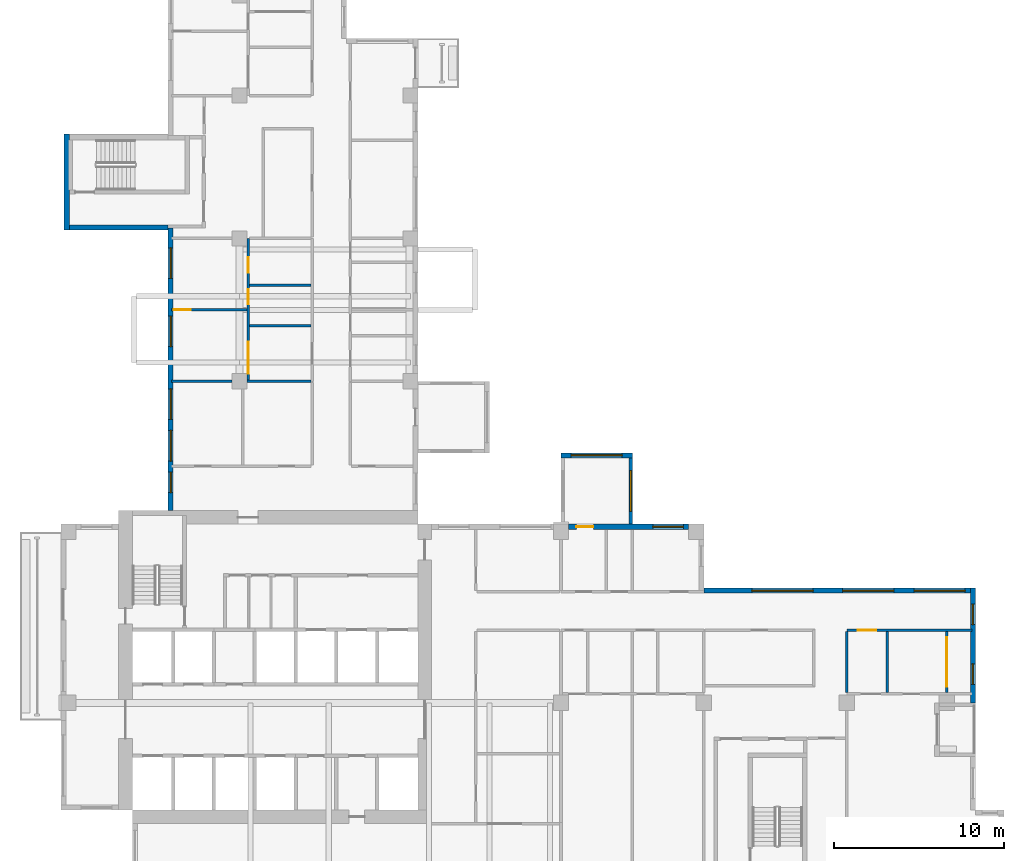
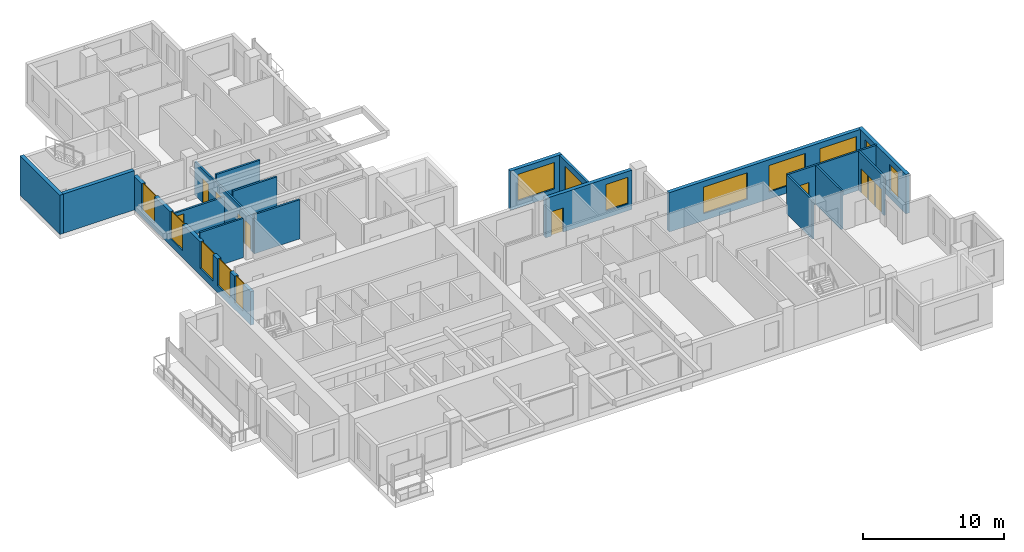
# One storey, part 6 of 12: 18 walls, 13 windows, 10 doors, 23 openings.
"""IFC4 building model written with IfcOpenShell, lengths in metres."""

from ifc_helpers import new_model, si_unit, direction, frame, frame_2d, origin, place, context, subcontext, project, spatial, rectangle, extrude, source, transform, mapped, material, layer, layer_set, type_object, element, fill, save


model = new_model("IFC4")

# Units and contexts
model_context = context("Model", 3, precision=1e-05, world=origin(), true_north=direction((0.0, 1.0)))
body_context = subcontext(model_context, "Body", "Model", "MODEL_VIEW")
ifc_project = project(units=[si_unit("LENGTHUNIT", "METRE"), si_unit("AREAUNIT", "SQUARE_METRE"), si_unit("VOLUMEUNIT", "CUBIC_METRE"), si_unit("PLANEANGLEUNIT", "RADIAN"), si_unit("MASSUNIT", "GRAM", prefix="KILO")], contexts=[model_context])

# Site, building, storey
site_placement = place(None, origin())
site = spatial("IfcSite", under=ifc_project, at=site_placement, CompositionType="ELEMENT")
building_placement = place(site_placement, origin())
building = spatial("IfcBuilding", under=site, at=building_placement, Name="Aurelian Terraces", CompositionType="ELEMENT")
storey_placement = place(building_placement, frame((0.0, 0.0, 215.8)))
storey = spatial("IfcBuildingStorey", under=building, at=storey_placement, Name="L48", CompositionType="ELEMENT", Elevation=215.8)

# Wall, openings, windows
ifc_material_1 = material(Name="Terracotta rainscreen cladding", Category="masonry")
ifc_layer_1 = layer(ifc_material_1, 0.3)
ifc_layer_set_1 = layer_set([ifc_layer_1], Name="EW-300")
wall_type_1 = type_object("IfcWallType", Name="EW-300", PredefinedType="STANDARD", material=ifc_layer_set_1)
wall_1_placement = place(storey_placement, frame((53.76, 17.1, 0.0), z_axis=(0.0, 0.0, 1.0), x_axis=(-1.0, 0.0, 0.0)))
wall_1 = element("IfcWall", 1, at=wall_1_placement, inside=storey, type_object=wall_type_1, Name="External wall L48 F05.14", PredefinedType="STANDARD", context=body_context, shape_type="SweptSolid", body=[
    extrude(rectangle(XDim=15.96, YDim=0.3, at=frame_2d((7.98, 0.0))), origin(), (0.0, 0.0, 1.0), 3.4),
])
shared_shape_1 = source(origin(), body_context, "Body", "SweptSolid", [
    extrude(rectangle(XDim=3.0, YDim=2.3, at=frame_2d((1.5, 1.15))), frame((0.0, 0.16, 0.0), z_axis=(0.0, -1.0, 0.0), x_axis=(1.0, 0.0, 0.0)), (0.0, 0.0, 1.0), 0.32),
])
opening_1_placement = place(wall_1_placement, frame((0.6, 0.0, 0.6)))
opening_1 = element("IfcOpeningElement", 2, at=opening_1_placement, cuts=wall_1, Name="Opening W3023", PredefinedType="OPENING", context=body_context, shape_type="MappedRepresentation", body=[
    mapped(shared_shape_1, transform((0.0, 0.0, 0.0), scale=1.0)),
])
opening_2_placement = place(wall_1_placement, frame((4.8, 0.0, 0.6)))
opening_2 = element("IfcOpeningElement", 3, at=opening_2_placement, cuts=wall_1, Name="Opening W3023", PredefinedType="OPENING", context=body_context, shape_type="MappedRepresentation", body=[
    mapped(shared_shape_1, transform((0.0, 0.0, 0.0), scale=1.0)),
])
shared_shape_2 = source(origin(), body_context, "Body", "SweptSolid", [
    extrude(rectangle(XDim=3.6, YDim=2.3, at=frame_2d((1.8, 1.15))), frame((0.0, 0.16, 0.0), z_axis=(0.0, -1.0, 0.0), x_axis=(1.0, 0.0, 0.0)), (0.0, 0.0, 1.0), 0.32),
])
opening_3_placement = place(wall_1_placement, frame((9.54, 0.0, 0.6)))
opening_3 = element("IfcOpeningElement", 4, at=opening_3_placement, cuts=wall_1, Name="Opening W3623", PredefinedType="OPENING", context=body_context, shape_type="MappedRepresentation", body=[
    mapped(shared_shape_2, transform((0.0, 0.0, 0.0), scale=1.0)),
])
ifc_material_2 = material(Name="Clear glazing", Category="glass")
window_type_1 = type_object("IfcWindowType", Name="W-3600x2300", PartitioningType="SINGLE_PANEL", PredefinedType="WINDOW", material=ifc_material_2)
shared_shape_3 = source(origin(), body_context, "Body", "SweptSolid", [
    extrude(rectangle(XDim=3.6, YDim=2.3, at=frame_2d((1.8, 1.15))), frame((0.0, 0.03, 0.0), z_axis=(0.0, -1.0, 0.0), x_axis=(1.0, 0.0, 0.0)), (0.0, 0.0, 1.0), 0.06),
])
window_1_placement = place(opening_3_placement, origin())
window_1 = element("IfcWindow", 5, at=window_1_placement, inside=storey, type_object=window_type_1, Name="Window L48 L48-F05-14-2", OverallHeight=2.3, OverallWidth=3.6, PartitioningType="SINGLE_PANEL", PredefinedType="WINDOW", context=body_context, shape_type="MappedRepresentation", body=[
    mapped(shared_shape_3, transform((0.0, 0.0, 0.0), scale=1.0)),
])
fill(opening_3, window_1)
window_type_2 = type_object("IfcWindowType", Name="W-3000x2300", PartitioningType="SINGLE_PANEL", PredefinedType="WINDOW", material=ifc_material_2)
shared_shape_4 = source(origin(), body_context, "Body", "SweptSolid", [
    extrude(rectangle(XDim=3.0, YDim=2.3, at=frame_2d((1.5, 1.15))), frame((0.0, 0.03, 0.0), z_axis=(0.0, -1.0, 0.0), x_axis=(1.0, 0.0, 0.0)), (0.0, 0.0, 1.0), 0.06),
])
window_2_placement = place(opening_1_placement, origin())
window_2 = element("IfcWindow", 6, at=window_2_placement, inside=storey, type_object=window_type_2, Name="Window L48 L48-F05-14-0", OverallHeight=2.3, OverallWidth=3.0, PartitioningType="SINGLE_PANEL", PredefinedType="WINDOW", context=body_context, shape_type="MappedRepresentation", body=[
    mapped(shared_shape_4, transform((0.0, 0.0, 0.0), scale=1.0)),
])
fill(opening_1, window_2)
window_3_placement = place(opening_2_placement, origin())
window_3 = element("IfcWindow", 7, at=window_3_placement, inside=storey, type_object=window_type_2, Name="Window L48 L48-F05-14-1", OverallHeight=2.3, OverallWidth=3.0, PartitioningType="SINGLE_PANEL", PredefinedType="WINDOW", context=body_context, shape_type="MappedRepresentation", body=[
    mapped(shared_shape_4, transform((0.0, 0.0, 0.0), scale=1.0)),
])
fill(opening_2, window_3)

# Wall
ifc_material_3 = material(Name="Concrete fc' 40 MPa", Category="concrete")
ifc_layer_2 = layer(ifc_material_3, 0.3)
ifc_layer_set_2 = layer_set([ifc_layer_2], Name="STAIR BAY WALL 300")
wall_type_2 = type_object("IfcWallType", Name="STAIR BAY WALL 300", PredefinedType="SOLIDWALL", material=ifc_layer_set_2)
shared_shape_5 = source(origin(), body_context, "Body", "SweptSolid", [
    extrude(rectangle(XDim=6.1, YDim=0.3, at=frame_2d((3.05, 0.0))), origin(), (0.0, 0.0, 1.0), 3.4),
])
wall_2_placement = place(storey_placement, frame((0.2, 38.45, 0.0), z_axis=(0.0, 0.0, 1.0), x_axis=(1.0, 0.0, 0.0)))
element("IfcWall", 8, at=wall_2_placement, inside=storey, type_object=wall_type_2, Name="Stair bay wall L48 F15.30", PredefinedType="SOLIDWALL", context=body_context, shape_type="MappedRepresentation", body=[
    mapped(shared_shape_5, transform((0.0, 0.0, 0.0), scale=1.0)),
])

# Wall, opening, window
ifc_layer_3 = layer(ifc_material_3, 0.2)
ifc_layer_set_3 = layer_set([ifc_layer_3], Name="BOX BEARING WALL 200")
wall_type_3 = type_object("IfcWallType", Name="BOX BEARING WALL 200", PredefinedType="SOLIDWALL", material=ifc_layer_set_3)
shared_shape_6 = source(origin(), body_context, "Body", "SweptSolid", [
    extrude(rectangle(XDim=3.9, YDim=0.2, at=frame_2d((1.95, 0.0))), origin(), (0.0, 0.0, 1.0), 3.39),
])
wall_3_placement = place(storey_placement, frame((33.5, 21.0, 0.0), z_axis=(0.0, 0.0, 1.0), x_axis=(0.0, 1.0, 0.0)))
wall_3 = element("IfcWall", 9, at=wall_3_placement, inside=storey, type_object=wall_type_3, Name="Box return L48 J69.1", PredefinedType="SOLIDWALL", context=body_context, shape_type="MappedRepresentation", body=[
    mapped(shared_shape_6, transform((0.0, 0.0, 0.0), scale=1.0)),
])
shared_shape_7 = source(origin(), body_context, "Body", "SweptSolid", [
    extrude(rectangle(XDim=2.4, YDim=2.3, at=frame_2d((1.2, 1.15))), frame((0.0, 0.11, 0.0), z_axis=(0.0, -1.0, 0.0), x_axis=(1.0, 0.0, 0.0)), (0.0, 0.0, 1.0), 0.22),
])
opening_4_placement = place(wall_3_placement, frame((0.75, 0.0, 0.6)))
opening_4 = element("IfcOpeningElement", 10, at=opening_4_placement, cuts=wall_3, Name="Opening W2423", PredefinedType="OPENING", context=body_context, shape_type="MappedRepresentation", body=[
    mapped(shared_shape_7, transform((0.0, 0.0, 0.0), scale=1.0)),
])
window_type_3 = type_object("IfcWindowType", Name="W-2400x2300", PartitioningType="SINGLE_PANEL", PredefinedType="WINDOW", material=ifc_material_2)
shared_shape_8 = source(origin(), body_context, "Body", "SweptSolid", [
    extrude(rectangle(XDim=2.4, YDim=2.3, at=frame_2d((1.2, 1.15))), frame((0.0, 0.03, 0.0), z_axis=(0.0, -1.0, 0.0), x_axis=(1.0, 0.0, 0.0)), (0.0, 0.0, 1.0), 0.06),
])
window_4_placement = place(opening_4_placement, origin())
window_4 = element("IfcWindow", 11, at=window_4_placement, inside=storey, type_object=window_type_3, Name="Window L48 J69-S1", OverallHeight=2.3, OverallWidth=2.4, PartitioningType="SINGLE_PANEL", PredefinedType="WINDOW", context=body_context, shape_type="MappedRepresentation", body=[
    mapped(shared_shape_8, transform((0.0, 0.0, 0.0), scale=1.0)),
])
fill(opening_4, window_4)

ifc_layer_4 = layer(ifc_material_3, 0.3)
ifc_layer_set_4 = layer_set([ifc_layer_4], Name="BOX BEARING WALL 300")
wall_type_4 = type_object("IfcWallType", Name="BOX BEARING WALL 300", PredefinedType="SOLIDWALL", material=ifc_layer_set_4)
shared_shape_9 = source(origin(), body_context, "Body", "SweptSolid", [
    extrude(rectangle(XDim=4.2, YDim=0.3, at=frame_2d((2.1, 0.0))), origin(), (0.0, 0.0, 1.0), 3.39),
])
wall_4_placement = place(storey_placement, frame((33.6, 25.05, 0.0), z_axis=(0.0, 0.0, 1.0), x_axis=(-1.0, 0.0, 0.0)))
wall_4 = element("IfcWall", 12, at=wall_4_placement, inside=storey, type_object=wall_type_4, Name="Box wall L48 J69", PredefinedType="SOLIDWALL", context=body_context, shape_type="MappedRepresentation", body=[
    mapped(shared_shape_9, transform((0.0, 0.0, 0.0), scale=1.0)),
])
opening_5_placement = place(wall_4_placement, frame((0.6, 0.0, 0.6)))
opening_5 = element("IfcOpeningElement", 13, at=opening_5_placement, cuts=wall_4, Name="Opening W3023", PredefinedType="OPENING", context=body_context, shape_type="MappedRepresentation", body=[
    mapped(shared_shape_1, transform((0.0, 0.0, 0.0), scale=1.0)),
])
window_5_placement = place(opening_5_placement, origin())
window_5 = element("IfcWindow", 14, at=window_5_placement, inside=storey, type_object=window_type_2, Name="Window L48 J69-F1", OverallHeight=2.3, OverallWidth=3.0, PartitioningType="SINGLE_PANEL", PredefinedType="WINDOW", context=body_context, shape_type="MappedRepresentation", body=[
    mapped(shared_shape_4, transform((0.0, 0.0, 0.0), scale=1.0)),
])
fill(opening_5, window_5)

# Wall, openings, window, door
shared_shape_10 = source(origin(), body_context, "Body", "SweptSolid", [
    extrude(rectangle(XDim=7.05, YDim=0.3, at=frame_2d((3.525, 0.0))), origin(), (0.0, 0.0, 1.0), 3.4),
])
wall_5_placement = place(storey_placement, frame((36.9, 20.85, 0.0), z_axis=(0.0, 0.0, 1.0), x_axis=(-1.0, 0.0, 0.0)))
wall_5 = element("IfcWall", 15, at=wall_5_placement, inside=storey, type_object=wall_type_1, Name="External wall L48 F07.16", PredefinedType="STANDARD", context=body_context, shape_type="MappedRepresentation", body=[
    mapped(shared_shape_10, transform((0.0, 0.0, 0.0), scale=1.0)),
])
shared_shape_11 = source(origin(), body_context, "Body", "SweptSolid", [
    extrude(rectangle(XDim=1.8, YDim=2.3, at=frame_2d((0.9, 1.15))), frame((0.0, 0.16, 0.0), z_axis=(0.0, -1.0, 0.0), x_axis=(1.0, 0.0, 0.0)), (0.0, 0.0, 1.0), 0.32),
])
opening_6_placement = place(wall_5_placement, frame((0.3, 0.0, 0.6)))
opening_6 = element("IfcOpeningElement", 16, at=opening_6_placement, cuts=wall_5, Name="Opening W1823", PredefinedType="OPENING", context=body_context, shape_type="MappedRepresentation", body=[
    mapped(shared_shape_11, transform((0.0, 0.0, 0.0), scale=1.0)),
])
shared_shape_12 = source(origin(), body_context, "Body", "SweptSolid", [
    extrude(rectangle(XDim=1.0, YDim=2.1, at=frame_2d((0.5, 1.05))), frame((0.0, 0.16, 0.0), z_axis=(0.0, -1.0, 0.0), x_axis=(1.0, 0.0, 0.0)), (0.0, 0.0, 1.0), 0.32),
])
opening_7_placement = place(wall_5_placement, frame((5.6, 0.0, 0.0)))
opening_7 = element("IfcOpeningElement", 17, at=opening_7_placement, cuts=wall_5, Name="Opening 848003", PredefinedType="OPENING", context=body_context, shape_type="MappedRepresentation", body=[
    mapped(shared_shape_12, transform((0.0, 0.0, 0.0), scale=1.0)),
])
window_type_4 = type_object("IfcWindowType", Name="W-1800x2300", PartitioningType="SINGLE_PANEL", PredefinedType="WINDOW", material=ifc_material_2)
shared_shape_13 = source(origin(), body_context, "Body", "SweptSolid", [
    extrude(rectangle(XDim=1.8, YDim=2.3, at=frame_2d((0.9, 1.15))), frame((0.0, 0.03, 0.0), z_axis=(0.0, -1.0, 0.0), x_axis=(1.0, 0.0, 0.0)), (0.0, 0.0, 1.0), 0.06),
])
window_6_placement = place(opening_6_placement, origin())
window_6 = element("IfcWindow", 18, at=window_6_placement, inside=storey, type_object=window_type_4, Name="Window L48 L48-F07-16-0", OverallHeight=2.3, OverallWidth=1.8, PartitioningType="SINGLE_PANEL", PredefinedType="WINDOW", context=body_context, shape_type="MappedRepresentation", body=[
    mapped(shared_shape_13, transform((0.0, 0.0, 0.0), scale=1.0)),
])
fill(opening_6, window_6)
ifc_material_4 = material(Name="Timber door leaf", Category="wood")
door_type_1 = type_object("IfcDoorType", Name="Room door 1000x2100 left", OperationType="SINGLE_SWING_LEFT", PredefinedType="DOOR", material=ifc_material_4)
shared_shape_14 = source(origin(), body_context, "Body", "SweptSolid", [
    extrude(rectangle(XDim=1.0, YDim=2.1, at=frame_2d((0.5, 1.05))), frame((0.0, 0.025, 0.0), z_axis=(0.0, -1.0, 0.0), x_axis=(1.0, 0.0, 0.0)), (0.0, 0.0, 1.0), 0.05),
])
door_1_placement = place(opening_7_placement, origin())
door_1 = element("IfcDoor", 19, at=door_1_placement, inside=storey, type_object=door_type_1, Name="Door 848003", OperationType="SINGLE_SWING_LEFT", OverallHeight=2.1, OverallWidth=1.0, PredefinedType="DOOR", context=body_context, shape_type="MappedRepresentation", body=[
    mapped(shared_shape_14, transform((0.0, 0.0, 0.0), scale=1.0)),
])
fill(opening_7, door_1)

# Wall
shared_shape_15 = source(origin(), body_context, "Body", "SweptSolid", [
    extrude(rectangle(XDim=5.65, YDim=0.3, at=frame_2d((2.825, 0.0))), origin(), (0.0, 0.0, 1.0), 3.4),
])
wall_6_placement = place(storey_placement, frame((0.35, 43.95, 0.0), z_axis=(0.0, 0.0, 1.0), x_axis=(0.0, -1.0, 0.0)))
element("IfcWall", 20, at=wall_6_placement, inside=storey, type_object=wall_type_2, Name="Stair bay wall L48 F14.29", PredefinedType="SOLIDWALL", context=body_context, shape_type="MappedRepresentation", body=[
    mapped(shared_shape_15, transform((0.0, 0.0, 0.0), scale=1.0)),
])

# Wall, openings, windows
shared_shape_16 = source(origin(), body_context, "Body", "SweptSolid", [
    extrude(rectangle(XDim=6.75, YDim=0.3, at=frame_2d((3.375, 0.0))), origin(), (0.0, 0.0, 1.0), 3.4),
])
wall_7_placement = place(storey_placement, frame((53.61, 10.5, 0.0), z_axis=(0.0, 0.0, 1.0), x_axis=(0.0, 1.0, 0.0)))
wall_7 = element("IfcWall", 21, at=wall_7_placement, inside=storey, type_object=wall_type_1, Name="External wall L48 F04.13", PredefinedType="STANDARD", context=body_context, shape_type="MappedRepresentation", body=[
    mapped(shared_shape_16, transform((0.0, 0.0, 0.0), scale=1.0)),
])
shared_shape_17 = source(origin(), body_context, "Body", "SweptSolid", [
    extrude(rectangle(XDim=1.2, YDim=2.3, at=frame_2d((0.6, 1.15))), frame((0.0, 0.16, 0.0), z_axis=(0.0, -1.0, 0.0), x_axis=(1.0, 0.0, 0.0)), (0.0, 0.0, 1.0), 0.32),
])
opening_8_placement = place(wall_7_placement, frame((1.0875, 0.0, 0.6)))
opening_8 = element("IfcOpeningElement", 22, at=opening_8_placement, cuts=wall_7, Name="Opening W1223", PredefinedType="OPENING", context=body_context, shape_type="MappedRepresentation", body=[
    mapped(shared_shape_17, transform((0.0, 0.0, 0.0), scale=1.0)),
])
opening_9_placement = place(wall_7_placement, frame((4.6063, 0.0, 0.6)))
opening_9 = element("IfcOpeningElement", 23, at=opening_9_placement, cuts=wall_7, Name="Opening W1223", PredefinedType="OPENING", context=body_context, shape_type="MappedRepresentation", body=[
    mapped(shared_shape_17, transform((0.0, 0.0, 0.0), scale=1.0)),
])
window_type_5 = type_object("IfcWindowType", Name="W-1200x2300", PartitioningType="SINGLE_PANEL", PredefinedType="WINDOW", material=ifc_material_2)
shared_shape_18 = source(origin(), body_context, "Body", "SweptSolid", [
    extrude(rectangle(XDim=1.2, YDim=2.3, at=frame_2d((0.6, 1.15))), frame((0.0, 0.03, 0.0), z_axis=(0.0, -1.0, 0.0), x_axis=(1.0, 0.0, 0.0)), (0.0, 0.0, 1.0), 0.06),
])
window_7_placement = place(opening_8_placement, origin())
window_7 = element("IfcWindow", 24, at=window_7_placement, inside=storey, type_object=window_type_5, Name="Window L48 L48-F04-13-0", OverallHeight=2.3, OverallWidth=1.2, PartitioningType="SINGLE_PANEL", PredefinedType="WINDOW", context=body_context, shape_type="MappedRepresentation", body=[
    mapped(shared_shape_18, transform((0.0, 0.0, 0.0), scale=1.0)),
])
fill(opening_8, window_7)
window_8_placement = place(opening_9_placement, origin())
window_8 = element("IfcWindow", 25, at=window_8_placement, inside=storey, type_object=window_type_5, Name="Window L48 L48-F04-13-1", OverallHeight=2.3, OverallWidth=1.2, PartitioningType="SINGLE_PANEL", PredefinedType="WINDOW", context=body_context, shape_type="MappedRepresentation", body=[
    mapped(shared_shape_18, transform((0.0, 0.0, 0.0), scale=1.0)),
])
fill(opening_9, window_8)

shared_shape_19 = source(origin(), body_context, "Body", "SweptSolid", [
    extrude(rectangle(XDim=16.6, YDim=0.3, at=frame_2d((8.3, 0.0))), origin(), (0.0, 0.0, 1.0), 2.9),
])
wall_8_placement = place(storey_placement, frame((6.45, 38.4, 0.0), z_axis=(0.0, 0.0, 1.0), x_axis=(0.0, -1.0, 0.0)))
wall_8 = element("IfcWall", 26, at=wall_8_placement, inside=storey, type_object=wall_type_1, Name="External wall L48 F16.31", PredefinedType="STANDARD", context=body_context, shape_type="MappedRepresentation", body=[
    mapped(shared_shape_19, transform((0.0, 0.0, 0.0), scale=1.0)),
])
opening_10_placement = place(wall_8_placement, frame((1.15, 0.0, 0.6)))
opening_10 = element("IfcOpeningElement", 27, at=opening_10_placement, cuts=wall_8, Name="Opening W1823", PredefinedType="OPENING", context=body_context, shape_type="MappedRepresentation", body=[
    mapped(shared_shape_11, transform((0.0, 0.0, 0.0), scale=1.0)),
])
opening_11_placement = place(wall_8_placement, frame((5.1625, 0.0, 0.6)))
opening_11 = element("IfcOpeningElement", 28, at=opening_11_placement, cuts=wall_8, Name="Opening W1823", PredefinedType="OPENING", context=body_context, shape_type="MappedRepresentation", body=[
    mapped(shared_shape_11, transform((0.0, 0.0, 0.0), scale=1.0)),
])
opening_12_placement = place(wall_8_placement, frame((9.4375, 0.0, 0.6)))
opening_12 = element("IfcOpeningElement", 29, at=opening_12_placement, cuts=wall_8, Name="Opening W1823", PredefinedType="OPENING", context=body_context, shape_type="MappedRepresentation", body=[
    mapped(shared_shape_11, transform((0.0, 0.0, 0.0), scale=1.0)),
])
opening_13_placement = place(wall_8_placement, frame((14.3375, 0.0, 0.6)))
opening_13 = element("IfcOpeningElement", 30, at=opening_13_placement, cuts=wall_8, Name="Opening W1223", PredefinedType="OPENING", context=body_context, shape_type="MappedRepresentation", body=[
    mapped(shared_shape_17, transform((0.0, 0.0, 0.0), scale=1.0)),
])
opening_14_placement = place(wall_8_placement, frame((11.8875, 0.0, 0.6)))
opening_14 = element("IfcOpeningElement", 31, at=opening_14_placement, cuts=wall_8, Name="Opening W1823", PredefinedType="OPENING", context=body_context, shape_type="MappedRepresentation", body=[
    mapped(shared_shape_11, transform((0.0, 0.0, 0.0), scale=1.0)),
])
window_9_placement = place(opening_13_placement, origin())
window_9 = element("IfcWindow", 32, at=window_9_placement, inside=storey, type_object=window_type_5, Name="Window L48 L48-F16-31-3", OverallHeight=2.3, OverallWidth=1.2, PartitioningType="SINGLE_PANEL", PredefinedType="WINDOW", context=body_context, shape_type="MappedRepresentation", body=[
    mapped(shared_shape_18, transform((0.0, 0.0, 0.0), scale=1.0)),
])
fill(opening_13, window_9)
window_10_placement = place(opening_10_placement, origin())
window_10 = element("IfcWindow", 33, at=window_10_placement, inside=storey, type_object=window_type_4, Name="Window L48 L48-F16-31-0", OverallHeight=2.3, OverallWidth=1.8, PartitioningType="SINGLE_PANEL", PredefinedType="WINDOW", context=body_context, shape_type="MappedRepresentation", body=[
    mapped(shared_shape_13, transform((0.0, 0.0, 0.0), scale=1.0)),
])
fill(opening_10, window_10)
window_11_placement = place(opening_11_placement, origin())
window_11 = element("IfcWindow", 34, at=window_11_placement, inside=storey, type_object=window_type_4, Name="Window L48 L48-F16-31-1", OverallHeight=2.3, OverallWidth=1.8, PartitioningType="SINGLE_PANEL", PredefinedType="WINDOW", context=body_context, shape_type="MappedRepresentation", body=[
    mapped(shared_shape_13, transform((0.0, 0.0, 0.0), scale=1.0)),
])
fill(opening_11, window_11)
window_12_placement = place(opening_12_placement, origin())
window_12 = element("IfcWindow", 35, at=window_12_placement, inside=storey, type_object=window_type_4, Name="Window L48 L48-F16-31-2", OverallHeight=2.3, OverallWidth=1.8, PartitioningType="SINGLE_PANEL", PredefinedType="WINDOW", context=body_context, shape_type="MappedRepresentation", body=[
    mapped(shared_shape_13, transform((0.0, 0.0, 0.0), scale=1.0)),
])
fill(opening_12, window_12)
window_13_placement = place(opening_14_placement, origin())
window_13 = element("IfcWindow", 36, at=window_13_placement, inside=storey, type_object=window_type_4, Name="Window L48 L48-F16-31-G0-111", OverallHeight=2.3, OverallWidth=1.8, PartitioningType="SINGLE_PANEL", PredefinedType="WINDOW", context=body_context, shape_type="MappedRepresentation", body=[
    mapped(shared_shape_13, transform((0.0, 0.0, 0.0), scale=1.0)),
])
fill(opening_14, window_13)

# Wall
ifc_material_5 = material(Name="Gypsum board on steel studs", Category="steel")
ifc_layer_5 = layer(ifc_material_5, 0.15)
ifc_layer_set_5 = layer_set([ifc_layer_5], Name="Partition 150")
wall_type_5 = type_object("IfcWallType", Name="Partition 150", PredefinedType="PARTITIONING", material=ifc_layer_set_5)
shared_shape_20 = source(origin(), body_context, "Body", "SweptSolid", [
    extrude(rectangle(XDim=3.6, YDim=0.15, at=frame_2d((1.8, 0.0))), origin(), (0.0, 0.0, 1.0), 3.4),
])
wall_9_placement = place(storey_placement, frame((48.5744, 11.1, 0.0), z_axis=(0.0, 0.0, 1.0), x_axis=(0.0, 1.0, 0.0)))
element("IfcWall", 37, at=wall_9_placement, inside=storey, type_object=wall_type_5, Name="Partition", PredefinedType="PARTITIONING", context=body_context, shape_type="MappedRepresentation", body=[
    mapped(shared_shape_20, transform((0.0, 0.0, 0.0), scale=1.0)),
])

# Wall, openings, doors
wall_10_placement = place(storey_placement, frame((52.08, 11.1, 0.0), z_axis=(0.0, 0.0, 1.0), x_axis=(0.0, 1.0, 0.0)))
wall_10 = element("IfcWall", 38, at=wall_10_placement, inside=storey, type_object=wall_type_5, Name="Partition", PredefinedType="PARTITIONING", context=body_context, shape_type="MappedRepresentation", body=[
    mapped(shared_shape_20, transform((0.0, 0.0, 0.0), scale=1.0)),
])
shared_shape_21 = source(origin(), body_context, "Body", "SweptSolid", [
    extrude(rectangle(XDim=0.9, YDim=2.1, at=frame_2d((0.45, 1.05))), frame((0.0, 0.085, 0.0), z_axis=(0.0, -1.0, 0.0), x_axis=(1.0, 0.0, 0.0)), (0.0, 0.0, 1.0), 0.17),
])
opening_15_placement = place(wall_10_placement, frame((1.35, 0.0, 0.0)))
opening_15 = element("IfcOpeningElement", 39, at=opening_15_placement, cuts=wall_10, Name="Opening 748042", PredefinedType="OPENING", context=body_context, shape_type="MappedRepresentation", body=[
    mapped(shared_shape_21, transform((0.0, 0.0, 0.0), scale=1.0)),
])
opening_16_placement = place(wall_10_placement, frame((2.35, 0.0, 0.0)))
opening_16 = element("IfcOpeningElement", 40, at=opening_16_placement, cuts=wall_10, Name="Opening 748044", PredefinedType="OPENING", context=body_context, shape_type="MappedRepresentation", body=[
    mapped(shared_shape_21, transform((0.0, 0.0, 0.0), scale=1.0)),
])
opening_17_placement = place(wall_10_placement, frame((0.35, 0.0, 0.0)))
opening_17 = element("IfcOpeningElement", 41, at=opening_17_placement, cuts=wall_10, Name="Opening 748046", PredefinedType="OPENING", context=body_context, shape_type="MappedRepresentation", body=[
    mapped(shared_shape_21, transform((0.0, 0.0, 0.0), scale=1.0)),
])
door_type_2 = type_object("IfcDoorType", Name="Room door 900x2100 left", OperationType="SINGLE_SWING_LEFT", PredefinedType="DOOR", material=ifc_material_4)
shared_shape_22 = source(origin(), body_context, "Body", "SweptSolid", [
    extrude(rectangle(XDim=0.9, YDim=2.1, at=frame_2d((0.45, 1.05))), frame((0.0, 0.025, 0.0), z_axis=(0.0, -1.0, 0.0), x_axis=(1.0, 0.0, 0.0)), (0.0, 0.0, 1.0), 0.05),
])
door_2_placement = place(opening_15_placement, origin())
door_2 = element("IfcDoor", 42, at=door_2_placement, inside=storey, type_object=door_type_2, Name="Door 748042", OperationType="SINGLE_SWING_LEFT", OverallHeight=2.1, OverallWidth=0.9, PredefinedType="DOOR", context=body_context, shape_type="MappedRepresentation", body=[
    mapped(shared_shape_22, transform((0.0, 0.0, 0.0), scale=1.0)),
])
fill(opening_15, door_2)
ifc_material_6 = material(Name="Steel door leaf", Category="steel")
door_type_3 = type_object("IfcDoorType", Name="Entrance fire door 900x2100 left", OperationType="SINGLE_SWING_LEFT", PredefinedType="DOOR", material=ifc_material_6)
door_3_placement = place(opening_16_placement, origin())
door_3 = element("IfcDoor", 43, at=door_3_placement, inside=storey, type_object=door_type_3, Name="Door 748044", OperationType="SINGLE_SWING_LEFT", OverallHeight=2.1, OverallWidth=0.9, PredefinedType="DOOR", context=body_context, shape_type="MappedRepresentation", body=[
    mapped(shared_shape_22, transform((0.0, 0.0, 0.0), scale=1.0)),
])
fill(opening_16, door_3)
door_4_placement = place(opening_17_placement, origin())
door_4 = element("IfcDoor", 44, at=door_4_placement, inside=storey, type_object=door_type_3, Name="Door 748046", OperationType="SINGLE_SWING_LEFT", OverallHeight=2.1, OverallWidth=0.9, PredefinedType="DOOR", context=body_context, shape_type="MappedRepresentation", body=[
    mapped(shared_shape_22, transform((0.0, 0.0, 0.0), scale=1.0)),
])
fill(opening_17, door_4)

# Walls
ifc_layer_6 = layer(ifc_material_5, 0.15)
ifc_layer_set_6 = layer_set([ifc_layer_6], Name="Fire partition 150")
wall_type_6 = type_object("IfcWallType", Name="Fire partition 150", PredefinedType="PARTITIONING", material=ifc_layer_set_6)
wall_11_placement = place(storey_placement, frame((46.2, 11.1, 0.0), z_axis=(0.0, 0.0, 1.0), x_axis=(0.0, 1.0, 0.0)))
element("IfcWall", 45, at=wall_11_placement, inside=storey, type_object=wall_type_6, Name="Party wall", PredefinedType="PARTITIONING", context=body_context, shape_type="MappedRepresentation", body=[
    mapped(shared_shape_20, transform((0.0, 0.0, 0.0), scale=1.0)),
])
for number, where, z_axis, x_axis, name in (
    (46, (14.7, 32.6603, 0.0), (0.0, 0.0, 1.0), (-1.0, 0.0, 0.0), "Partition"),
    (47, (14.7, 35.0493, 0.0), (0.0, 0.0, 1.0), (-1.0, 0.0, 0.0), "Partition"),
):
    element("IfcWall", number, at=place(storey_placement, frame(where, z_axis=z_axis, x_axis=x_axis)), inside=storey, type_object=wall_type_5, Name=name, PredefinedType="PARTITIONING", context=body_context, shape_type="MappedRepresentation", body=[
        mapped(shared_shape_20, transform((0.0, 0.0, 0.0), scale=1.0)),
    ])
shared_shape_23 = source(origin(), body_context, "Body", "SweptSolid", [
    extrude(rectangle(XDim=3.546, YDim=0.15, at=frame_2d((1.773, 0.0))), origin(), (0.0, 0.0, 1.0), 3.4),
])
wall_12_placement = place(storey_placement, frame((10.051, 29.4, 0.0), z_axis=(0.0, 0.0, 1.0), x_axis=(-1.0, 0.0, 0.0)))
element("IfcWall", 48, at=wall_12_placement, inside=storey, type_object=wall_type_5, Name="Partition", PredefinedType="PARTITIONING", context=body_context, shape_type="MappedRepresentation", body=[
    mapped(shared_shape_23, transform((0.0, 0.0, 0.0), scale=1.0)),
])

# Wall, openings, doors
shared_shape_24 = source(origin(), body_context, "Body", "SweptSolid", [
    extrude(rectangle(XDim=8.4, YDim=0.15, at=frame_2d((4.2, 0.0))), origin(), (0.0, 0.0, 1.0), 2.9),
])
wall_13_placement = place(storey_placement, frame((11.025, 29.4, 0.0), z_axis=(0.0, 0.0, 1.0), x_axis=(0.0, 1.0, 0.0)))
wall_13 = element("IfcWall", 49, at=wall_13_placement, inside=storey, type_object=wall_type_5, Name="Partition", PredefinedType="PARTITIONING", context=body_context, shape_type="MappedRepresentation", body=[
    mapped(shared_shape_24, transform((0.0, 0.0, 0.0), scale=1.0)),
])
opening_18_placement = place(wall_13_placement, frame((1.418, 0.0, 0.0)))
opening_18 = element("IfcOpeningElement", 50, at=opening_18_placement, cuts=wall_13, Name="Opening 748025", PredefinedType="OPENING", context=body_context, shape_type="MappedRepresentation", body=[
    mapped(shared_shape_21, transform((0.0, 0.0, 0.0), scale=1.0)),
])
opening_19_placement = place(wall_13_placement, frame((0.46, 0.0, 0.0)))
opening_19 = element("IfcOpeningElement", 51, at=opening_19_placement, cuts=wall_13, Name="Opening 748026", PredefinedType="OPENING", context=body_context, shape_type="MappedRepresentation", body=[
    mapped(shared_shape_21, transform((0.0, 0.0, 0.0), scale=1.0)),
])
opening_20_placement = place(wall_13_placement, frame((4.5247, 0.0, 0.0)))
opening_20 = element("IfcOpeningElement", 52, at=opening_20_placement, cuts=wall_13, Name="Opening 748028", PredefinedType="OPENING", context=body_context, shape_type="MappedRepresentation", body=[
    mapped(shared_shape_21, transform((0.0, 0.0, 0.0), scale=1.0)),
])
opening_21_placement = place(wall_13_placement, frame((6.3872, 0.0, 0.0)))
opening_21 = element("IfcOpeningElement", 53, at=opening_21_placement, cuts=wall_13, Name="Opening 748029", PredefinedType="OPENING", context=body_context, shape_type="MappedRepresentation", body=[
    mapped(shared_shape_21, transform((0.0, 0.0, 0.0), scale=1.0)),
])
door_5_placement = place(opening_18_placement, origin())
door_5 = element("IfcDoor", 54, at=door_5_placement, inside=storey, type_object=door_type_2, Name="Door 748025", OperationType="SINGLE_SWING_LEFT", OverallHeight=2.1, OverallWidth=0.9, PredefinedType="DOOR", context=body_context, shape_type="MappedRepresentation", body=[
    mapped(shared_shape_22, transform((0.0, 0.0, 0.0), scale=1.0)),
])
fill(opening_18, door_5)
door_type_4 = type_object("IfcDoorType", Name="Room door 900x2100 right", OperationType="SINGLE_SWING_RIGHT", PredefinedType="DOOR", material=ifc_material_4)
door_6_placement = place(opening_19_placement, origin())
door_6 = element("IfcDoor", 55, at=door_6_placement, inside=storey, type_object=door_type_4, Name="Door 748026", OperationType="SINGLE_SWING_RIGHT", OverallHeight=2.1, OverallWidth=0.9, PredefinedType="DOOR", context=body_context, shape_type="MappedRepresentation", body=[
    mapped(shared_shape_22, transform((0.0, 0.0, 0.0), scale=1.0)),
])
fill(opening_19, door_6)
door_7_placement = place(opening_20_placement, origin())
door_7 = element("IfcDoor", 56, at=door_7_placement, inside=storey, type_object=door_type_4, Name="Door 748028", OperationType="SINGLE_SWING_RIGHT", OverallHeight=2.1, OverallWidth=0.9, PredefinedType="DOOR", context=body_context, shape_type="MappedRepresentation", body=[
    mapped(shared_shape_22, transform((0.0, 0.0, 0.0), scale=1.0)),
])
fill(opening_20, door_7)
door_8_placement = place(opening_21_placement, origin())
door_8 = element("IfcDoor", 57, at=door_8_placement, inside=storey, type_object=door_type_2, Name="Door 748029", OperationType="SINGLE_SWING_LEFT", OverallHeight=2.1, OverallWidth=0.9, PredefinedType="DOOR", context=body_context, shape_type="MappedRepresentation", body=[
    mapped(shared_shape_22, transform((0.0, 0.0, 0.0), scale=1.0)),
])
fill(opening_21, door_8)

# Wall
shared_shape_25 = source(origin(), body_context, "Body", "SweptSolid", [
    extrude(rectangle(XDim=3.751, YDim=0.15, at=frame_2d((1.8755, 0.0))), origin(), (0.0, 0.0, 1.0), 3.4),
])
wall_14_placement = place(storey_placement, frame((14.7, 29.4, 0.0), z_axis=(0.0, 0.0, 1.0), x_axis=(-1.0, 0.0, 0.0)))
element("IfcWall", 58, at=wall_14_placement, inside=storey, type_object=wall_type_5, Name="Partition", PredefinedType="PARTITIONING", context=body_context, shape_type="MappedRepresentation", body=[
    mapped(shared_shape_25, transform((0.0, 0.0, 0.0), scale=1.0)),
])

# Wall, opening, door
shared_shape_26 = source(origin(), body_context, "Body", "SweptSolid", [
    extrude(rectangle(XDim=7.355, YDim=0.15, at=frame_2d((3.6775, 0.0))), origin(), (0.0, 0.0, 1.0), 3.4),
])
wall_15_placement = place(storey_placement, frame((53.555, 14.775, 0.0), z_axis=(0.0, 0.0, 1.0), x_axis=(-1.0, 0.0, 0.0)))
wall_15 = element("IfcWall", 59, at=wall_15_placement, inside=storey, type_object=wall_type_6, Name="Corridor wall", PredefinedType="PARTITIONING", context=body_context, shape_type="MappedRepresentation", body=[
    mapped(shared_shape_26, transform((0.0, 0.0, 0.0), scale=1.0)),
])
shared_shape_27 = source(origin(), body_context, "Body", "SweptSolid", [
    extrude(rectangle(XDim=1.1, YDim=2.1, at=frame_2d((0.55, 1.05))), frame((0.0, 0.085, 0.0), z_axis=(0.0, -1.0, 0.0), x_axis=(1.0, 0.0, 0.0)), (0.0, 0.0, 1.0), 0.17),
])
opening_22_placement = place(wall_15_placement, frame((5.6178, 0.0, 0.0)))
opening_22 = element("IfcOpeningElement", 60, at=opening_22_placement, cuts=wall_15, Name="Opening 748013", PredefinedType="OPENING", context=body_context, shape_type="MappedRepresentation", body=[
    mapped(shared_shape_27, transform((0.0, 0.0, 0.0), scale=1.0)),
])
door_type_5 = type_object("IfcDoorType", Name="Entrance fire door 1100x2100 right", OperationType="SINGLE_SWING_RIGHT", PredefinedType="DOOR", material=ifc_material_6)
shared_shape_28 = source(origin(), body_context, "Body", "SweptSolid", [
    extrude(rectangle(XDim=1.1, YDim=2.1, at=frame_2d((0.55, 1.05))), frame((0.0, 0.025, 0.0), z_axis=(0.0, -1.0, 0.0), x_axis=(1.0, 0.0, 0.0)), (0.0, 0.0, 1.0), 0.05),
])
door_9_placement = place(opening_22_placement, origin())
door_9 = element("IfcDoor", 61, at=door_9_placement, inside=storey, type_object=door_type_5, Name="Door 748013", OperationType="SINGLE_SWING_RIGHT", OverallHeight=2.1, OverallWidth=1.1, PredefinedType="DOOR", context=body_context, shape_type="MappedRepresentation", body=[
    mapped(shared_shape_28, transform((0.0, 0.0, 0.0), scale=1.0)),
])
fill(opening_22, door_9)

shared_shape_29 = source(origin(), body_context, "Body", "SweptSolid", [
    extrude(rectangle(XDim=4.445, YDim=0.15, at=frame_2d((2.2225, 0.0))), origin(), (0.0, 0.0, 1.0), 2.4),
])
wall_16_placement = place(storey_placement, frame((10.95, 33.6, 0.0), z_axis=(0.0, 0.0, 1.0), x_axis=(-1.0, 0.0, 0.0)))
wall_16 = element("IfcWall", 62, at=wall_16_placement, inside=storey, type_object=wall_type_5, Name="Partition", PredefinedType="PARTITIONING", context=body_context, shape_type="MappedRepresentation", body=[
    mapped(shared_shape_29, transform((0.0, 0.0, 0.0), scale=1.0)),
])
shared_shape_30 = source(origin(), body_context, "Body", "SweptSolid", [
    extrude(rectangle(XDim=1.0, YDim=2.1, at=frame_2d((0.5, 1.05))), frame((0.0, 0.085, 0.0), z_axis=(0.0, -1.0, 0.0), x_axis=(1.0, 0.0, 0.0)), (0.0, 0.0, 1.0), 0.17),
])
opening_23_placement = place(wall_16_placement, frame((3.325, 0.0, 0.0)))
opening_23 = element("IfcOpeningElement", 63, at=opening_23_placement, cuts=wall_16, Name="Opening 748027", PredefinedType="OPENING", context=body_context, shape_type="MappedRepresentation", body=[
    mapped(shared_shape_30, transform((0.0, 0.0, 0.0), scale=1.0)),
])
door_10_placement = place(opening_23_placement, origin())
door_10 = element("IfcDoor", 64, at=door_10_placement, inside=storey, type_object=door_type_1, Name="Door 748027", OperationType="SINGLE_SWING_LEFT", OverallHeight=2.1, OverallWidth=1.0, PredefinedType="DOOR", context=body_context, shape_type="MappedRepresentation", body=[
    mapped(shared_shape_14, transform((0.0, 0.0, 0.0), scale=1.0)),
])
fill(opening_23, door_10)

save(model, "model.ifc")
